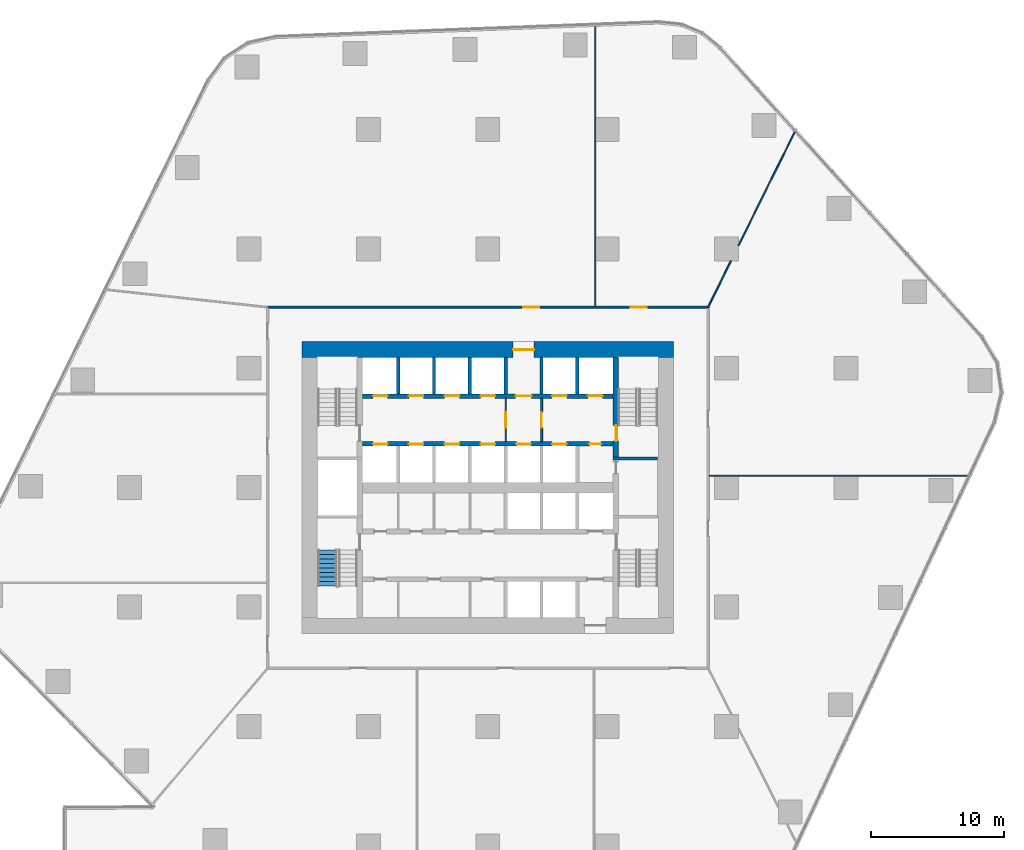
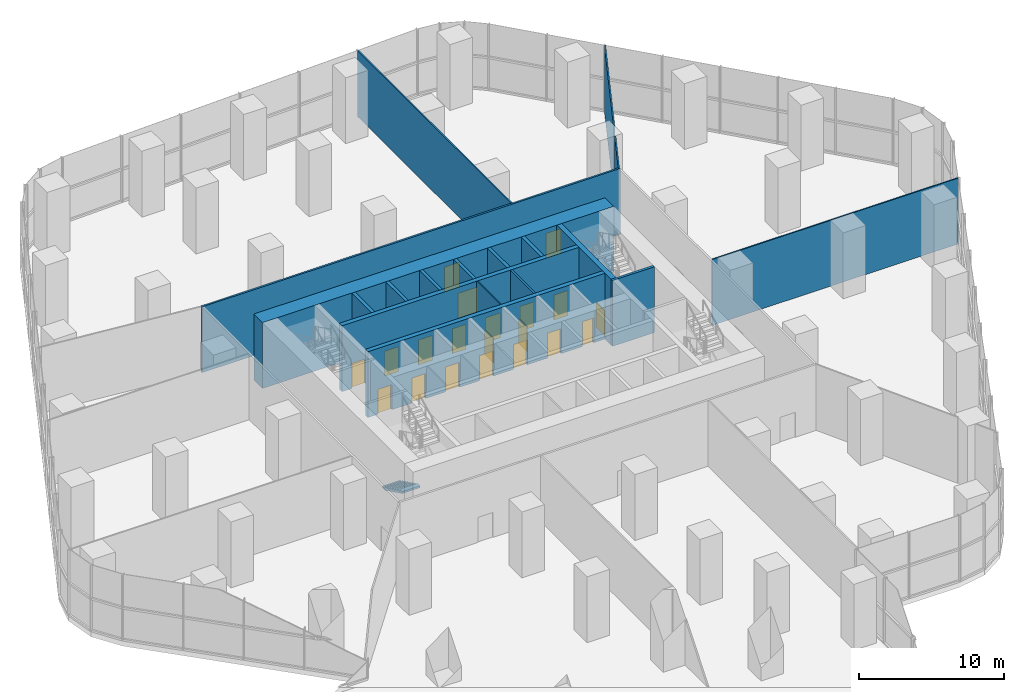
# One storey, part 12 of 15: 20 doors, 18 walls, 1 stair flight, 20 openings, 1 element without a shape of its own.
"""IFC4 building model written with IfcOpenShell, lengths in metres."""

from ifc_helpers import new_model, si_unit, direction, frame, frame_2d, origin, place, context, subcontext, project, spatial, polyline, rectangle, outline, extrude, material, layer, layer_set, type_object, element, fill, aggregate, save


model = new_model("IFC4")

# Units and contexts
model_context = context("Model", 3, precision=1e-05, world=origin(), true_north=direction((0.0, 1.0)))
body_context = subcontext(model_context, "Body", "Model", "MODEL_VIEW")
ifc_project = project(units=[si_unit("LENGTHUNIT", "METRE"), si_unit("AREAUNIT", "SQUARE_METRE"), si_unit("VOLUMEUNIT", "CUBIC_METRE"), si_unit("PLANEANGLEUNIT", "RADIAN"), si_unit("MASSUNIT", "GRAM", prefix="KILO")], contexts=[model_context])

# Site, building, storey
site_placement = place(None, origin())
site = spatial("IfcSite", under=ifc_project, at=site_placement, CompositionType="ELEMENT")
building_placement = place(site_placement, origin())
building = spatial("IfcBuilding", under=site, at=building_placement, Name="Dongbaek Canopy Tower", CompositionType="ELEMENT")
storey_placement = place(building_placement, frame((0.0, 0.0, 27.0)))
storey = spatial("IfcBuildingStorey", under=building, at=storey_placement, Name="L03", CompositionType="ELEMENT", Elevation=27.0)

# Wall, openings, doors
ifc_material_1 = material(Name="Concrete C60/75", Category="concrete")
ifc_layer_1 = layer(ifc_material_1, 0.35009765625)
ifc_layer_set_1 = layer_set([ifc_layer_1], Name="Core lobby wall 350 Concrete C60/75")
wall_type_1 = type_object("IfcWallType", Name="Core lobby wall 350 Concrete C60/75", PredefinedType="SHEAR", material=ifc_layer_set_1)
wall_1_placement = place(storey_placement, frame((-9.449951171875, 6.89990234375, 0.0), z_axis=(0.0, 0.0, 1.0), x_axis=(1.0, 0.0, 0.0)))
wall_1 = element("IfcWall", 1, at=wall_1_placement, inside=storey, type_object=wall_type_1, Name="Core wall", PredefinedType="SHEAR", context=body_context, shape_type="SweptSolid", body=[
    extrude(rectangle(XDim=18.89990234375, YDim=0.35009765625, at=frame_2d((9.449951171875, 0.0))), origin(), (0.0, 0.0, 1.0), 5.550048828125),
])
opening_1_placement = place(wall_1_placement, frame((0.800048828125, 0.0, 0.0)))
opening_1 = element("IfcOpeningElement", 2, at=opening_1_placement, cuts=wall_1, Name="Opening L03-D012", PredefinedType="OPENING", context=body_context, shape_type="SweptSolid", body=[
    extrude(rectangle(XDim=1.10009765625, YDim=2.10009765625, at=frame_2d((0.550048828125, 1.050048828125))), frame((0.0, 0.18505859375, 0.0), z_axis=(0.0, -1.0, 0.0), x_axis=(1.0, 0.0, 0.0)), (0.0, 0.0, 1.0), 0.3701171875),
])
opening_2_placement = place(wall_1_placement, frame((3.5, 0.0, 0.0)))
opening_2 = element("IfcOpeningElement", 3, at=opening_2_placement, cuts=wall_1, Name="Opening L03-D013", PredefinedType="OPENING", context=body_context, shape_type="SweptSolid", body=[
    extrude(rectangle(XDim=1.10009765625, YDim=2.10009765625, at=frame_2d((0.550048828125, 1.050048828125))), frame((0.0, 0.18505859375, 0.0), z_axis=(0.0, -1.0, 0.0), x_axis=(1.0, 0.0, 0.0)), (0.0, 0.0, 1.0), 0.3701171875),
])
opening_3_placement = place(wall_1_placement, frame((6.199951171875, 0.0, 0.0)))
opening_3 = element("IfcOpeningElement", 4, at=opening_3_placement, cuts=wall_1, Name="Opening L03-D014", PredefinedType="OPENING", context=body_context, shape_type="SweptSolid", body=[
    extrude(rectangle(XDim=1.10009765625, YDim=2.10009765625, at=frame_2d((0.550048828125, 1.050048828125))), frame((0.0, 0.18505859375, 0.0), z_axis=(0.0, -1.0, 0.0), x_axis=(1.0, 0.0, 0.0)), (0.0, 0.0, 1.0), 0.3701171875),
])
opening_4_placement = place(wall_1_placement, frame((8.89990234375, 0.0, 0.0)))
opening_4 = element("IfcOpeningElement", 5, at=opening_4_placement, cuts=wall_1, Name="Opening L03-D015", PredefinedType="OPENING", context=body_context, shape_type="SweptSolid", body=[
    extrude(rectangle(XDim=1.10009765625, YDim=2.10009765625, at=frame_2d((0.550048828125, 1.050048828125))), frame((0.0, 0.18505859375, 0.0), z_axis=(0.0, -1.0, 0.0), x_axis=(1.0, 0.0, 0.0)), (0.0, 0.0, 1.0), 0.3701171875),
])
opening_5_placement = place(wall_1_placement, frame((11.550048828125, 0.0, 0.0)))
opening_5 = element("IfcOpeningElement", 6, at=opening_5_placement, cuts=wall_1, Name="Opening L03-D017", PredefinedType="OPENING", context=body_context, shape_type="SweptSolid", body=[
    extrude(rectangle(XDim=1.199951171875, YDim=2.10009765625, at=frame_2d((0.60009765625, 1.050048828125))), frame((0.0, 0.18505859375, 0.0), z_axis=(0.0, -1.0, 0.0), x_axis=(1.0, 0.0, 0.0)), (0.0, 0.0, 1.0), 0.3701171875),
])
opening_6_placement = place(wall_1_placement, frame((14.300048828125, 0.0, 0.0)))
opening_6 = element("IfcOpeningElement", 7, at=opening_6_placement, cuts=wall_1, Name="Opening L03-D018", PredefinedType="OPENING", context=body_context, shape_type="SweptSolid", body=[
    extrude(rectangle(XDim=1.10009765625, YDim=2.10009765625, at=frame_2d((0.550048828125, 1.050048828125))), frame((0.0, 0.18505859375, 0.0), z_axis=(0.0, -1.0, 0.0), x_axis=(1.0, 0.0, 0.0)), (0.0, 0.0, 1.0), 0.3701171875),
])
opening_7_placement = place(wall_1_placement, frame((17.0, 0.0, 0.0)))
opening_7 = element("IfcOpeningElement", 8, at=opening_7_placement, cuts=wall_1, Name="Opening L03-D019", PredefinedType="OPENING", context=body_context, shape_type="SweptSolid", body=[
    extrude(rectangle(XDim=1.10009765625, YDim=2.10009765625, at=frame_2d((0.550048828125, 1.050048828125))), frame((0.0, 0.18505859375, 0.0), z_axis=(0.0, -1.0, 0.0), x_axis=(1.0, 0.0, 0.0)), (0.0, 0.0, 1.0), 0.3701171875),
])
ifc_material_2 = material(Name="Steel", Category="steel")
door_type_1 = type_object("IfcDoorType", Name="Fire lobby door 1200 x 2100", OperationType="SINGLE_SWING_LEFT", PredefinedType="DOOR", material=ifc_material_2)
door_1_placement = place(opening_5_placement, origin())
door_1 = element("IfcDoor", 9, at=door_1_placement, inside=storey, type_object=door_type_1, Name="Door L03-D017", OperationType="SINGLE_SWING_LEFT", OverallHeight=2.10009765625, OverallWidth=1.199951171875, PredefinedType="DOOR", context=body_context, shape_type="SweptSolid", body=[
    extrude(rectangle(XDim=1.199951171875, YDim=2.10009765625, at=frame_2d((0.60009765625, 1.050048828125))), frame((0.0, 0.02490234375, 0.0), z_axis=(0.0, -1.0, 0.0), x_axis=(1.0, 0.0, 0.0)), (0.0, 0.0, 1.0), 0.050048828125),
])
fill(opening_5, door_1)
ifc_material_3 = material(Name="Stainless steel", Category="steel")
door_type_2 = type_object("IfcDoorType", Name="Lift landing door 1100 x 2100", OperationType="DOUBLE_DOOR_SLIDING", PredefinedType="DOOR", material=ifc_material_3)
door_2_placement = place(opening_1_placement, origin())
door_2 = element("IfcDoor", 10, at=door_2_placement, inside=storey, type_object=door_type_2, Name="Landing door LR1", OperationType="DOUBLE_DOOR_SLIDING", OverallHeight=2.10009765625, OverallWidth=1.10009765625, PredefinedType="DOOR", context=body_context, shape_type="SweptSolid", body=[
    extrude(rectangle(XDim=1.10009765625, YDim=2.10009765625, at=frame_2d((0.550048828125, 1.050048828125))), frame((0.0, 0.02490234375, 0.0), z_axis=(0.0, -1.0, 0.0), x_axis=(1.0, 0.0, 0.0)), (0.0, 0.0, 1.0), 0.050048828125),
])
fill(opening_1, door_2)
door_3_placement = place(opening_2_placement, origin())
door_3 = element("IfcDoor", 11, at=door_3_placement, inside=storey, type_object=door_type_2, Name="Landing door LR2", OperationType="DOUBLE_DOOR_SLIDING", OverallHeight=2.10009765625, OverallWidth=1.10009765625, PredefinedType="DOOR", context=body_context, shape_type="SweptSolid", body=[
    extrude(rectangle(XDim=1.10009765625, YDim=2.10009765625, at=frame_2d((0.550048828125, 1.050048828125))), frame((0.0, 0.02490234375, 0.0), z_axis=(0.0, -1.0, 0.0), x_axis=(1.0, 0.0, 0.0)), (0.0, 0.0, 1.0), 0.050048828125),
])
fill(opening_2, door_3)
door_4_placement = place(opening_3_placement, origin())
door_4 = element("IfcDoor", 12, at=door_4_placement, inside=storey, type_object=door_type_2, Name="Landing door LR3", OperationType="DOUBLE_DOOR_SLIDING", OverallHeight=2.10009765625, OverallWidth=1.10009765625, PredefinedType="DOOR", context=body_context, shape_type="SweptSolid", body=[
    extrude(rectangle(XDim=1.10009765625, YDim=2.10009765625, at=frame_2d((0.550048828125, 1.050048828125))), frame((0.0, 0.02490234375, 0.0), z_axis=(0.0, -1.0, 0.0), x_axis=(1.0, 0.0, 0.0)), (0.0, 0.0, 1.0), 0.050048828125),
])
fill(opening_3, door_4)
door_5_placement = place(opening_4_placement, origin())
door_5 = element("IfcDoor", 13, at=door_5_placement, inside=storey, type_object=door_type_2, Name="Landing door LR4", OperationType="DOUBLE_DOOR_SLIDING", OverallHeight=2.10009765625, OverallWidth=1.10009765625, PredefinedType="DOOR", context=body_context, shape_type="SweptSolid", body=[
    extrude(rectangle(XDim=1.10009765625, YDim=2.10009765625, at=frame_2d((0.550048828125, 1.050048828125))), frame((0.0, 0.02490234375, 0.0), z_axis=(0.0, -1.0, 0.0), x_axis=(1.0, 0.0, 0.0)), (0.0, 0.0, 1.0), 0.050048828125),
])
fill(opening_4, door_5)
door_6_placement = place(opening_6_placement, origin())
door_6 = element("IfcDoor", 14, at=door_6_placement, inside=storey, type_object=door_type_2, Name="Landing door FF1", OperationType="DOUBLE_DOOR_SLIDING", OverallHeight=2.10009765625, OverallWidth=1.10009765625, PredefinedType="DOOR", context=body_context, shape_type="SweptSolid", body=[
    extrude(rectangle(XDim=1.10009765625, YDim=2.10009765625, at=frame_2d((0.550048828125, 1.050048828125))), frame((0.0, 0.02490234375, 0.0), z_axis=(0.0, -1.0, 0.0), x_axis=(1.0, 0.0, 0.0)), (0.0, 0.0, 1.0), 0.050048828125),
])
fill(opening_6, door_6)
door_7_placement = place(opening_7_placement, origin())
door_7 = element("IfcDoor", 15, at=door_7_placement, inside=storey, type_object=door_type_2, Name="Landing door FF2", OperationType="DOUBLE_DOOR_SLIDING", OverallHeight=2.10009765625, OverallWidth=1.10009765625, PredefinedType="DOOR", context=body_context, shape_type="SweptSolid", body=[
    extrude(rectangle(XDim=1.10009765625, YDim=2.10009765625, at=frame_2d((0.550048828125, 1.050048828125))), frame((0.0, 0.02490234375, 0.0), z_axis=(0.0, -1.0, 0.0), x_axis=(1.0, 0.0, 0.0)), (0.0, 0.0, 1.0), 0.050048828125),
])
fill(opening_7, door_7)

wall_2_placement = place(storey_placement, frame((9.449951171875, 3.300048828125, 0.0), z_axis=(0.0, 0.0, 1.0), x_axis=(-1.0, 0.0, 0.0)))
wall_2 = element("IfcWall", 16, at=wall_2_placement, inside=storey, type_object=wall_type_1, Name="Core wall", PredefinedType="SHEAR", context=body_context, shape_type="SweptSolid", body=[
    extrude(rectangle(XDim=18.89990234375, YDim=0.35009765625, at=frame_2d((9.449951171875, 0.0))), origin(), (0.0, 0.0, 1.0), 5.550048828125),
])
opening_8_placement = place(wall_2_placement, frame((17.0, 0.0, 0.0)))
opening_8 = element("IfcOpeningElement", 17, at=opening_8_placement, cuts=wall_2, Name="Opening L03-D020", PredefinedType="OPENING", context=body_context, shape_type="SweptSolid", body=[
    extrude(rectangle(XDim=1.10009765625, YDim=2.10009765625, at=frame_2d((0.550048828125, 1.050048828125))), frame((0.0, 0.18505859375, 0.0), z_axis=(0.0, -1.0, 0.0), x_axis=(1.0, 0.0, 0.0)), (0.0, 0.0, 1.0), 0.3701171875),
])
opening_9_placement = place(wall_2_placement, frame((14.300048828125, 0.0, 0.0)))
opening_9 = element("IfcOpeningElement", 18, at=opening_9_placement, cuts=wall_2, Name="Opening L03-D021", PredefinedType="OPENING", context=body_context, shape_type="SweptSolid", body=[
    extrude(rectangle(XDim=1.10009765625, YDim=2.10009765625, at=frame_2d((0.550048828125, 1.050048828125))), frame((0.0, 0.18505859375, 0.0), z_axis=(0.0, -1.0, 0.0), x_axis=(1.0, 0.0, 0.0)), (0.0, 0.0, 1.0), 0.3701171875),
])
opening_10_placement = place(wall_2_placement, frame((11.60009765625, 0.0, 0.0)))
opening_10 = element("IfcOpeningElement", 19, at=opening_10_placement, cuts=wall_2, Name="Opening L03-D022", PredefinedType="OPENING", context=body_context, shape_type="SweptSolid", body=[
    extrude(rectangle(XDim=1.10009765625, YDim=2.10009765625, at=frame_2d((0.550048828125, 1.050048828125))), frame((0.0, 0.18505859375, 0.0), z_axis=(0.0, -1.0, 0.0), x_axis=(1.0, 0.0, 0.0)), (0.0, 0.0, 1.0), 0.3701171875),
])
opening_11_placement = place(wall_2_placement, frame((8.89990234375, 0.0, 0.0)))
opening_11 = element("IfcOpeningElement", 20, at=opening_11_placement, cuts=wall_2, Name="Opening L03-D023", PredefinedType="OPENING", context=body_context, shape_type="SweptSolid", body=[
    extrude(rectangle(XDim=1.10009765625, YDim=2.10009765625, at=frame_2d((0.550048828125, 1.050048828125))), frame((0.0, 0.18505859375, 0.0), z_axis=(0.0, -1.0, 0.0), x_axis=(1.0, 0.0, 0.0)), (0.0, 0.0, 1.0), 0.3701171875),
])
opening_12_placement = place(wall_2_placement, frame((6.199951171875, 0.0, 0.0)))
opening_12 = element("IfcOpeningElement", 21, at=opening_12_placement, cuts=wall_2, Name="Opening L03-D024", PredefinedType="OPENING", context=body_context, shape_type="SweptSolid", body=[
    extrude(rectangle(XDim=1.10009765625, YDim=2.10009765625, at=frame_2d((0.550048828125, 1.050048828125))), frame((0.0, 0.18505859375, 0.0), z_axis=(0.0, -1.0, 0.0), x_axis=(1.0, 0.0, 0.0)), (0.0, 0.0, 1.0), 0.3701171875),
])
opening_13_placement = place(wall_2_placement, frame((3.5, 0.0, 0.0)))
opening_13 = element("IfcOpeningElement", 22, at=opening_13_placement, cuts=wall_2, Name="Opening L03-D025", PredefinedType="OPENING", context=body_context, shape_type="SweptSolid", body=[
    extrude(rectangle(XDim=1.10009765625, YDim=2.10009765625, at=frame_2d((0.550048828125, 1.050048828125))), frame((0.0, 0.18505859375, 0.0), z_axis=(0.0, -1.0, 0.0), x_axis=(1.0, 0.0, 0.0)), (0.0, 0.0, 1.0), 0.3701171875),
])
opening_14_placement = place(wall_2_placement, frame((0.89990234375, 0.0, 0.0)))
opening_14 = element("IfcOpeningElement", 23, at=opening_14_placement, cuts=wall_2, Name="Opening L03-D026", PredefinedType="OPENING", context=body_context, shape_type="SweptSolid", body=[
    extrude(rectangle(XDim=0.89990234375, YDim=2.10009765625, at=frame_2d((0.449951171875, 1.050048828125))), frame((0.0, 0.18505859375, 0.0), z_axis=(0.0, -1.0, 0.0), x_axis=(1.0, 0.0, 0.0)), (0.0, 0.0, 1.0), 0.3701171875),
])
ifc_material_4 = material(Name="Steel", Category="steel")
door_type_3 = type_object("IfcDoorType", Name="Core room door 900 x 2100", OperationType="SINGLE_SWING_LEFT", PredefinedType="DOOR", material=ifc_material_4)
door_8_placement = place(opening_14_placement, origin())
door_8 = element("IfcDoor", 24, at=door_8_placement, inside=storey, type_object=door_type_3, Name="Door L03-D026", OperationType="SINGLE_SWING_LEFT", OverallHeight=2.10009765625, OverallWidth=0.89990234375, PredefinedType="DOOR", context=body_context, shape_type="SweptSolid", body=[
    extrude(rectangle(XDim=0.89990234375, YDim=2.10009765625, at=frame_2d((0.449951171875, 1.050048828125))), frame((0.0, 0.02490234375, 0.0), z_axis=(0.0, -1.0, 0.0), x_axis=(1.0, 0.0, 0.0)), (0.0, 0.0, 1.0), 0.050048828125),
])
fill(opening_14, door_8)
door_9_placement = place(opening_8_placement, origin())
door_9 = element("IfcDoor", 25, at=door_9_placement, inside=storey, type_object=door_type_2, Name="Landing door LR5", OperationType="DOUBLE_DOOR_SLIDING", OverallHeight=2.10009765625, OverallWidth=1.10009765625, PredefinedType="DOOR", context=body_context, shape_type="SweptSolid", body=[
    extrude(rectangle(XDim=1.10009765625, YDim=2.10009765625, at=frame_2d((0.550048828125, 1.050048828125))), frame((0.0, 0.02490234375, 0.0), z_axis=(0.0, -1.0, 0.0), x_axis=(1.0, 0.0, 0.0)), (0.0, 0.0, 1.0), 0.050048828125),
])
fill(opening_8, door_9)
door_10_placement = place(opening_9_placement, origin())
door_10 = element("IfcDoor", 26, at=door_10_placement, inside=storey, type_object=door_type_2, Name="Landing door LR6", OperationType="DOUBLE_DOOR_SLIDING", OverallHeight=2.10009765625, OverallWidth=1.10009765625, PredefinedType="DOOR", context=body_context, shape_type="SweptSolid", body=[
    extrude(rectangle(XDim=1.10009765625, YDim=2.10009765625, at=frame_2d((0.550048828125, 1.050048828125))), frame((0.0, 0.02490234375, 0.0), z_axis=(0.0, -1.0, 0.0), x_axis=(1.0, 0.0, 0.0)), (0.0, 0.0, 1.0), 0.050048828125),
])
fill(opening_9, door_10)
door_11_placement = place(opening_10_placement, origin())
door_11 = element("IfcDoor", 27, at=door_11_placement, inside=storey, type_object=door_type_2, Name="Landing door LR7", OperationType="DOUBLE_DOOR_SLIDING", OverallHeight=2.10009765625, OverallWidth=1.10009765625, PredefinedType="DOOR", context=body_context, shape_type="SweptSolid", body=[
    extrude(rectangle(XDim=1.10009765625, YDim=2.10009765625, at=frame_2d((0.550048828125, 1.050048828125))), frame((0.0, 0.02490234375, 0.0), z_axis=(0.0, -1.0, 0.0), x_axis=(1.0, 0.0, 0.0)), (0.0, 0.0, 1.0), 0.050048828125),
])
fill(opening_10, door_11)
door_12_placement = place(opening_11_placement, origin())
door_12 = element("IfcDoor", 28, at=door_12_placement, inside=storey, type_object=door_type_2, Name="Landing door LR8", OperationType="DOUBLE_DOOR_SLIDING", OverallHeight=2.10009765625, OverallWidth=1.10009765625, PredefinedType="DOOR", context=body_context, shape_type="SweptSolid", body=[
    extrude(rectangle(XDim=1.10009765625, YDim=2.10009765625, at=frame_2d((0.550048828125, 1.050048828125))), frame((0.0, 0.02490234375, 0.0), z_axis=(0.0, -1.0, 0.0), x_axis=(1.0, 0.0, 0.0)), (0.0, 0.0, 1.0), 0.050048828125),
])
fill(opening_11, door_12)
door_13_placement = place(opening_12_placement, origin())
door_13 = element("IfcDoor", 29, at=door_13_placement, inside=storey, type_object=door_type_2, Name="Landing door SV1", OperationType="DOUBLE_DOOR_SLIDING", OverallHeight=2.10009765625, OverallWidth=1.10009765625, PredefinedType="DOOR", context=body_context, shape_type="SweptSolid", body=[
    extrude(rectangle(XDim=1.10009765625, YDim=2.10009765625, at=frame_2d((0.550048828125, 1.050048828125))), frame((0.0, 0.02490234375, 0.0), z_axis=(0.0, -1.0, 0.0), x_axis=(1.0, 0.0, 0.0)), (0.0, 0.0, 1.0), 0.050048828125),
])
fill(opening_12, door_13)
door_14_placement = place(opening_13_placement, origin())
door_14 = element("IfcDoor", 30, at=door_14_placement, inside=storey, type_object=door_type_2, Name="Landing door FF3", OperationType="DOUBLE_DOOR_SLIDING", OverallHeight=2.10009765625, OverallWidth=1.10009765625, PredefinedType="DOOR", context=body_context, shape_type="SweptSolid", body=[
    extrude(rectangle(XDim=1.10009765625, YDim=2.10009765625, at=frame_2d((0.550048828125, 1.050048828125))), frame((0.0, 0.02490234375, 0.0), z_axis=(0.0, -1.0, 0.0), x_axis=(1.0, 0.0, 0.0)), (0.0, 0.0, 1.0), 0.050048828125),
])
fill(opening_13, door_14)

# Wall, opening, door
ifc_material_5 = material(Name="Concrete C60/75", Category="concrete")
ifc_layer_2 = layer(ifc_material_5, 1.199951171875)
ifc_layer_set_2 = layer_set([ifc_layer_2], Name="Core outer wall 1200 Concrete C60/75")
wall_type_2 = type_object("IfcWallType", Name="Core outer wall 1200 Concrete C60/75", PredefinedType="SHEAR", material=ifc_layer_set_2)
wall_3_placement = place(storey_placement, frame((-14.0, 10.39990234375, 0.0), z_axis=(0.0, 0.0, 1.0), x_axis=(1.0, 0.0, 0.0)))
wall_3 = element("IfcWall", 31, at=wall_3_placement, inside=storey, type_object=wall_type_2, Name="Core wall", PredefinedType="SHEAR", context=body_context, shape_type="SweptSolid", body=[
    extrude(rectangle(XDim=28.0, YDim=1.199951171875, at=frame_2d((14.0, 0.0))), origin(), (0.0, 0.0, 1.0), 5.550048828125),
])
opening_15_placement = place(wall_3_placement, frame((15.89990234375, 0.0, 0.0)))
opening_15 = element("IfcOpeningElement", 32, at=opening_15_placement, cuts=wall_3, Name="Opening L03-D016", PredefinedType="OPENING", context=body_context, shape_type="SweptSolid", body=[
    extrude(rectangle(XDim=1.60009765625, YDim=2.10009765625, at=frame_2d((0.800048828125, 1.050048828125))), frame((0.0, 0.60986328125, 0.0), z_axis=(0.0, -1.0, 0.0), x_axis=(1.0, 0.0, 0.0)), (0.0, 0.0, 1.0), 1.219970703125),
])
ifc_material_6 = material(Name="Steel", Category="steel")
door_type_4 = type_object("IfcDoorType", Name="Core exit door 1600 x 2100", OperationType="DOUBLE_DOOR_SINGLE_SWING", PredefinedType="DOOR", material=ifc_material_6)
door_15_placement = place(opening_15_placement, origin())
door_15 = element("IfcDoor", 33, at=door_15_placement, inside=storey, type_object=door_type_4, Name="Core exit door", OperationType="DOUBLE_DOOR_SINGLE_SWING", OverallHeight=2.10009765625, OverallWidth=1.60009765625, PredefinedType="DOOR", context=body_context, shape_type="SweptSolid", body=[
    extrude(rectangle(XDim=1.60009765625, YDim=2.10009765625, at=frame_2d((0.800048828125, 1.050048828125))), frame((0.0, 0.02490234375, 0.0), z_axis=(0.0, -1.0, 0.0), x_axis=(1.0, 0.0, 0.0)), (0.0, 0.0, 1.0), 0.050048828125),
])
fill(opening_15, door_15)

# Wall, openings, doors
ifc_material_7 = material(Name="Gypsum board partition, steel stud, 2 x 15 mm fire board", Category="steel")
ifc_layer_3 = layer(ifc_material_7, 0.14990234375)
ifc_layer_set_3 = layer_set([ifc_layer_3], Name="Fire-rated partition 150 gypsum board")
wall_type_3 = type_object("IfcWallType", Name="Fire-rated partition 150 gypsum board", PredefinedType="PARTITIONING", material=ifc_layer_set_3)
wall_4_placement = place(storey_placement, frame((-16.675048828125, 13.60009765625, 0.0), z_axis=(0.0, 0.0, 1.0), x_axis=(1.0, 0.0, 0.0)))
wall_4 = element("IfcWall", 34, at=wall_4_placement, inside=storey, type_object=wall_type_3, Name="Corridor partition", PredefinedType="PARTITIONING", context=body_context, shape_type="SweptSolid", body=[
    extrude(rectangle(XDim=33.35009765625, YDim=0.14990234375, at=frame_2d((16.675048828125, 0.0))), origin(), (0.0, 0.0, 1.0), 5.550048828125),
])
opening_16_placement = place(wall_4_placement, frame((27.447021484375, 0.0, 0.0)))
opening_16 = element("IfcOpeningElement", 35, at=opening_16_placement, cuts=wall_4, Name="Opening L03-D008", PredefinedType="OPENING", context=body_context, shape_type="SweptSolid", body=[
    extrude(rectangle(XDim=1.199951171875, YDim=2.10009765625, at=frame_2d((0.60009765625, 1.050048828125))), frame((0.0, 0.0849609375, 0.0), z_axis=(0.0, -1.0, 0.0), x_axis=(1.0, 0.0, 0.0)), (0.0, 0.0, 1.0), 0.169921875),
])
opening_17_placement = place(wall_4_placement, frame((19.345947265625, 0.0, 0.0)))
opening_17 = element("IfcOpeningElement", 36, at=opening_17_placement, cuts=wall_4, Name="Opening L03-D009", PredefinedType="OPENING", context=body_context, shape_type="SweptSolid", body=[
    extrude(rectangle(XDim=1.199951171875, YDim=2.10009765625, at=frame_2d((0.60009765625, 1.050048828125))), frame((0.0, 0.0849609375, 0.0), z_axis=(0.0, -1.0, 0.0), x_axis=(1.0, 0.0, 0.0)), (0.0, 0.0, 1.0), 0.169921875),
])
ifc_material_8 = material(Name="Timber veneered door leaf", Category="wood")
door_type_5 = type_object("IfcDoorType", Name="Room door 1200 x 2100", OperationType="SINGLE_SWING_LEFT", PredefinedType="DOOR", material=ifc_material_8)
door_16_placement = place(opening_16_placement, origin())
door_16 = element("IfcDoor", 37, at=door_16_placement, inside=storey, type_object=door_type_5, Name="Door L03-D008", OperationType="SINGLE_SWING_LEFT", OverallHeight=2.10009765625, OverallWidth=1.199951171875, PredefinedType="DOOR", context=body_context, shape_type="SweptSolid", body=[
    extrude(rectangle(XDim=1.199951171875, YDim=2.10009765625, at=frame_2d((0.60009765625, 1.050048828125))), frame((0.0, 0.02490234375, 0.0), z_axis=(0.0, -1.0, 0.0), x_axis=(1.0, 0.0, 0.0)), (0.0, 0.0, 1.0), 0.050048828125),
])
fill(opening_16, door_16)
door_17_placement = place(opening_17_placement, origin())
door_17 = element("IfcDoor", 38, at=door_17_placement, inside=storey, type_object=door_type_5, Name="Door L03-D009", OperationType="SINGLE_SWING_RIGHT", OverallHeight=2.10009765625, OverallWidth=1.199951171875, PredefinedType="DOOR", context=body_context, shape_type="SweptSolid", body=[
    extrude(rectangle(XDim=1.199951171875, YDim=2.10009765625, at=frame_2d((0.60009765625, 1.050048828125))), frame((0.0, 0.02490234375, 0.0), z_axis=(0.0, -1.0, 0.0), x_axis=(1.0, 0.0, 0.0)), (0.0, 0.0, 1.0), 0.050048828125),
])
fill(opening_17, door_17)

# Wall, opening, door
wall_5_placement = place(storey_placement, frame((4.050048828125, 6.72509765625, 0.0), z_axis=(0.0, 0.0, 1.0), x_axis=(0.0, -1.0, 0.0)))
wall_5 = element("IfcWall", 39, at=wall_5_placement, inside=storey, type_object=wall_type_3, Name="Fire lobby partition", PredefinedType="PARTITIONING", context=body_context, shape_type="SweptSolid", body=[
    extrude(rectangle(XDim=3.25, YDim=0.14990234375, at=frame_2d((1.625, 0.0))), origin(), (0.0, 0.0, 1.0), 5.550048828125),
])
opening_18_placement = place(wall_5_placement, frame((1.02490234375, 0.0, 0.0)))
opening_18 = element("IfcOpeningElement", 40, at=opening_18_placement, cuts=wall_5, Name="Opening L03-D042", PredefinedType="OPENING", context=body_context, shape_type="SweptSolid", body=[
    extrude(rectangle(XDim=1.199951171875, YDim=2.10009765625, at=frame_2d((0.60009765625, 1.050048828125))), frame((0.0, 0.0849609375, 0.0), z_axis=(0.0, -1.0, 0.0), x_axis=(1.0, 0.0, 0.0)), (0.0, 0.0, 1.0), 0.169921875),
])
door_18_placement = place(opening_18_placement, origin())
door_18 = element("IfcDoor", 41, at=door_18_placement, inside=storey, type_object=door_type_1, Name="Door L03-D042", OperationType="SINGLE_SWING_RIGHT", OverallHeight=2.10009765625, OverallWidth=1.199951171875, PredefinedType="DOOR", context=body_context, shape_type="SweptSolid", body=[
    extrude(rectangle(XDim=1.199951171875, YDim=2.10009765625, at=frame_2d((0.60009765625, 1.050048828125))), frame((0.0, 0.02490234375, 0.0), z_axis=(0.0, -1.0, 0.0), x_axis=(1.0, 0.0, 0.0)), (0.0, 0.0, 1.0), 0.050048828125),
])
fill(opening_18, door_18)

# Walls
ifc_material_9 = material(Name="Concrete C40/50", Category="concrete")
ifc_layer_4 = layer(ifc_material_9, 0.25)
ifc_layer_set_4 = layer_set([ifc_layer_4], Name="Lift shaft wall 250 Concrete C40/50")
wall_type_4 = type_object("IfcWallType", Name="Lift shaft wall 250 Concrete C40/50", PredefinedType="SOLIDWALL", material=ifc_layer_set_4)
for number, where, z_axis, x_axis, name in (
    (42, (6.75, 7.074951171875, 0.0), (0.0, 0.0, 1.0), (0.0, 1.0, 0.0), "Lift shaft wall"),
    (43, (4.050048828125, 7.074951171875, 0.0), (0.0, 0.0, 1.0), (0.0, 1.0, 0.0), "Lift shaft wall"),
    (44, (1.35009765625, 7.074951171875, 0.0), (0.0, 0.0, 1.0), (0.0, 1.0, 0.0), "Lift shaft wall"),
    (45, (-1.35009765625, 7.074951171875, 0.0), (0.0, 0.0, 1.0), (0.0, 1.0, 0.0), "Lift shaft wall"),
    (46, (-4.050048828125, 7.074951171875, 0.0), (0.0, 0.0, 1.0), (0.0, 1.0, 0.0), "Lift shaft wall"),
    (47, (-6.75, 7.074951171875, 0.0), (0.0, 0.0, 1.0), (0.0, 1.0, 0.0), "Lift shaft wall"),
):
    element("IfcWall", number, at=place(storey_placement, frame(where, z_axis=z_axis, x_axis=x_axis)), inside=storey, type_object=wall_type_4, Name=name, PredefinedType="SOLIDWALL", context=body_context, shape_type="SweptSolid", body=[
        extrude(rectangle(XDim=2.72509765625, YDim=0.25, at=frame_2d((1.362548828125, 0.0))), origin(), (0.0, 0.0, 1.0), 5.550048828125),
    ])
ifc_material_10 = material(Name="Gypsum board partition, steel stud, 2 x 12.5 mm board", Category="steel")
ifc_layer_5 = layer(ifc_material_10, 0.10009765625)
ifc_layer_set_5 = layer_set([ifc_layer_5], Name="Partition 100 gypsum board")
wall_type_5 = type_object("IfcWallType", Name="Partition 100 gypsum board", PredefinedType="PARTITIONING", material=ifc_layer_set_5)
wall_6_placement = place(storey_placement, frame((16.675048828125, 0.902099609375, 0.0), z_axis=(0.0, 0.0, 1.0), x_axis=(1.0, 0.0, 0.0)))
element("IfcWall", 48, at=wall_6_placement, inside=storey, type_object=wall_type_5, Name="Partition", PredefinedType="PARTITIONING", context=body_context, shape_type="SweptSolid", body=[
    extrude(rectangle(XDim=19.62109375, YDim=0.10009765625, at=frame_2d((9.810546875, 0.0))), origin(), (0.0, 0.0, 1.0), 5.550048828125),
])
wall_7_placement = place(storey_placement, frame((16.599609375, 13.60009765625, 0.0), z_axis=(0.0, 0.0, 1.0), x_axis=(0.443207247844, 0.896419173969, 0.0)))
element("IfcWall", 49, at=wall_7_placement, inside=storey, type_object=wall_type_5, Name="Partition", PredefinedType="PARTITIONING", context=body_context, shape_type="SweptSolid", body=[
    extrude(rectangle(XDim=3.904541015625, YDim=0.10009765625, at=frame_2d((1.9521484375, 0.0))), origin(), (0.0, 0.0, 1.0), 5.550048828125),
])
wall_8_placement = place(storey_placement, frame((18.89990234375, 18.252685546875, 0.0), z_axis=(0.0, 0.0, 1.0), x_axis=(0.443225904803, 0.89640994936, 0.0)))
element("IfcWall", 50, at=wall_8_placement, inside=storey, type_object=wall_type_5, Name="Partition", PredefinedType="PARTITIONING", context=body_context, shape_type="SweptSolid", body=[
    extrude(rectangle(XDim=9.635009765625, YDim=0.10009765625, at=frame_2d((4.8173828125, 0.0))), origin(), (0.0, 0.0, 1.0), 5.550048828125),
])
wall_9_placement = place(storey_placement, frame((8.094970703125, 13.675048828125, 0.0), z_axis=(0.0, 0.0, 1.0), x_axis=(0.0, 1.0, 0.0)))
element("IfcWall", 51, at=wall_9_placement, inside=storey, type_object=wall_type_5, Name="Partition", PredefinedType="PARTITIONING", context=body_context, shape_type="SweptSolid", body=[
    extrude(rectangle(XDim=21.212646484375, YDim=0.10009765625, at=frame_2d((10.6064453125, 0.0))), origin(), (0.0, 0.0, 1.0), 5.550048828125),
])

# Wall, opening, door
wall_10_placement = place(storey_placement, frame((1.35009765625, 6.72509765625, 0.0), z_axis=(0.0, 0.0, 1.0), x_axis=(0.0, -1.0, 0.0)))
wall_10 = element("IfcWall", 52, at=wall_10_placement, inside=storey, type_object=wall_type_5, Name="Core partition", PredefinedType="PARTITIONING", context=body_context, shape_type="SweptSolid", body=[
    extrude(rectangle(XDim=3.25, YDim=0.10009765625, at=frame_2d((1.625, 0.0))), origin(), (0.0, 0.0, 1.0), 5.550048828125),
])
opening_19_placement = place(wall_10_placement, frame((1.02490234375, 0.0, 0.0)))
opening_19 = element("IfcOpeningElement", 53, at=opening_19_placement, cuts=wall_10, Name="Opening L03-D041", PredefinedType="OPENING", context=body_context, shape_type="SweptSolid", body=[
    extrude(rectangle(XDim=1.199951171875, YDim=2.10009765625, at=frame_2d((0.60009765625, 1.050048828125))), frame((0.0, 0.06005859375, 0.0), z_axis=(0.0, -1.0, 0.0), x_axis=(1.0, 0.0, 0.0)), (0.0, 0.0, 1.0), 0.1201171875),
])
door_19_placement = place(opening_19_placement, origin())
door_19 = element("IfcDoor", 54, at=door_19_placement, inside=storey, type_object=door_type_1, Name="Door L03-D041", OperationType="SINGLE_SWING_LEFT", OverallHeight=2.10009765625, OverallWidth=1.199951171875, PredefinedType="DOOR", context=body_context, shape_type="SweptSolid", body=[
    extrude(rectangle(XDim=1.199951171875, YDim=2.10009765625, at=frame_2d((0.60009765625, 1.050048828125))), frame((0.0, 0.02490234375, 0.0), z_axis=(0.0, -1.0, 0.0), x_axis=(1.0, 0.0, 0.0)), (0.0, 0.0, 1.0), 0.050048828125),
])
fill(opening_19, door_19)

# Wall
ifc_material_11 = material(Name="Concrete C60/75", Category="concrete")
ifc_layer_6 = layer(ifc_material_11, 0.199951171875)
ifc_layer_set_6 = layer_set([ifc_layer_6], Name="Riser wall 200 Concrete C60/75")
wall_type_6 = type_object("IfcWallType", Name="Riser wall 200 Concrete C60/75", PredefinedType="SHEAR", material=ifc_layer_set_6)
wall_11_placement = place(storey_placement, frame((9.449951171875, 2.199951171875, 0.0), z_axis=(0.0, 0.0, 1.0), x_axis=(1.0, 0.0, 0.0)))
element("IfcWall", 55, at=wall_11_placement, inside=storey, type_object=wall_type_6, Name="Riser wall", PredefinedType="SHEAR", context=body_context, shape_type="SweptSolid", body=[
    extrude(rectangle(XDim=3.35009765625, YDim=0.199951171875, at=frame_2d((1.675048828125, 0.0))), origin(), (0.0, 0.0, 1.0), 5.550048828125),
])

# Wall, opening, door
ifc_material_12 = material(Name="Concrete C60/75", Category="concrete")
ifc_layer_7 = layer(ifc_material_12, 0.39990234375)
ifc_layer_set_7 = layer_set([ifc_layer_7], Name="Stair wall 400 Concrete C60/75")
wall_type_7 = type_object("IfcWallType", Name="Stair wall 400 Concrete C60/75", PredefinedType="SHEAR", material=ifc_layer_set_7)
wall_12_placement = place(storey_placement, frame((9.64990234375, 9.800048828125, 0.0), z_axis=(0.0, 0.0, 1.0), x_axis=(0.0, -1.0, 0.0)))
wall_12 = element("IfcWall", 56, at=wall_12_placement, inside=storey, type_object=wall_type_7, Name="Stair wall", PredefinedType="SHEAR", context=body_context, shape_type="SweptSolid", body=[
    extrude(rectangle(XDim=7.5, YDim=0.39990234375, at=frame_2d((3.75, 0.0))), origin(), (0.0, 0.0, 1.0), 5.550048828125),
])
opening_20_placement = place(wall_12_placement, frame((5.10009765625, 0.0, 0.0)))
opening_20 = element("IfcOpeningElement", 57, at=opening_20_placement, cuts=wall_12, Name="Opening L03-D037", PredefinedType="OPENING", context=body_context, shape_type="SweptSolid", body=[
    extrude(rectangle(XDim=1.199951171875, YDim=2.10009765625, at=frame_2d((0.60009765625, 1.050048828125))), frame((0.0, 0.2099609375, 0.0), z_axis=(0.0, -1.0, 0.0), x_axis=(1.0, 0.0, 0.0)), (0.0, 0.0, 1.0), 0.419921875),
])
ifc_material_13 = material(Name="Steel", Category="steel")
door_type_6 = type_object("IfcDoorType", Name="Stair door 1200 x 2100", OperationType="SINGLE_SWING_LEFT", PredefinedType="DOOR", material=ifc_material_13)
door_20_placement = place(opening_20_placement, origin())
door_20 = element("IfcDoor", 58, at=door_20_placement, inside=storey, type_object=door_type_6, Name="Stair A door", OperationType="SINGLE_SWING_LEFT", OverallHeight=2.10009765625, OverallWidth=1.199951171875, PredefinedType="DOOR", context=body_context, shape_type="SweptSolid", body=[
    extrude(rectangle(XDim=1.199951171875, YDim=2.10009765625, at=frame_2d((0.60009765625, 1.050048828125))), frame((0.0, 0.02490234375, 0.0), z_axis=(0.0, -1.0, 0.0), x_axis=(1.0, 0.0, 0.0)), (0.0, 0.0, 1.0), 0.050048828125),
])
fill(opening_20, door_20)

# Stair, stair flight
ifc_material_14 = material(Name="Concrete C40/50", Category="concrete")
stair_type = type_object("IfcStairType", Name="Core exit stair", PredefinedType="HALF_TURN_STAIR", material=ifc_material_14)
stair_placement = place(storey_placement, origin())
stair = element("IfcStair", 59, at=stair_placement, inside=storey, type_object=stair_type, Name="L03 exit stair D", PredefinedType="HALF_TURN_STAIR")
ifc_material_15 = material(Name="Concrete C40/50", Category="concrete")
ifc_layer_8 = layer(ifc_material_15, 0.14990234375)
ifc_layer_set_8 = layer_set([ifc_layer_8], Name="Core stair flight 150 waist")
stair_flight_type = type_object("IfcStairFlightType", Name="Core stair flight 150 waist", PredefinedType="STRAIGHT", material=ifc_layer_set_8)
stair_flight_placement = place(storey_placement, frame((-12.10009765625, -4.699951171875, 0.0), z_axis=(0.0, 0.0, 1.0), x_axis=(0.0, -1.0, 0.0)))
stair_flight = element("IfcStairFlight", 60, at=stair_flight_placement, type_object=stair_flight_type, Name="ST-D flight 1", NumberOfRisers=9, NumberOfTreads=8, PredefinedType="STRAIGHT", RiserHeight=0.166666667, TreadLength=0.34, context=body_context, shape_type="SweptSolid", body=[
    extrude(outline(polyline([(0.0, 0.0), (0.0, 0.166748046875), (0.340087890625, 0.166748046875), (0.340087890625, 0.333251953125), (0.679931640625, 0.333251953125), (0.679931640625, 0.5), (1.02001953125, 0.5), (1.02001953125, 0.666748046875), (1.360107421875, 0.666748046875), (1.360107421875, 0.833251953125), (1.699951171875, 0.833251953125), (1.699951171875, 1.0), (2.0400390625, 1.0), (2.0400390625, 1.166748046875), (2.3798828125, 1.166748046875), (2.3798828125, 1.333251953125), (2.719970703125, 1.333251953125), (2.719970703125, 1.5), (2.719970703125, 1.16650390625), (0.340576171875, 0.0), (0.0, 0.0)])), frame((0.0, 0.699951171875, 0.0), z_axis=(0.0, -1.0, 0.0), x_axis=(1.0, 0.0, 0.0)), (0.0, 0.0, 1.0), 1.39990234375),
])
aggregate(stair, [stair_flight])

save(model, "model.ifc")
